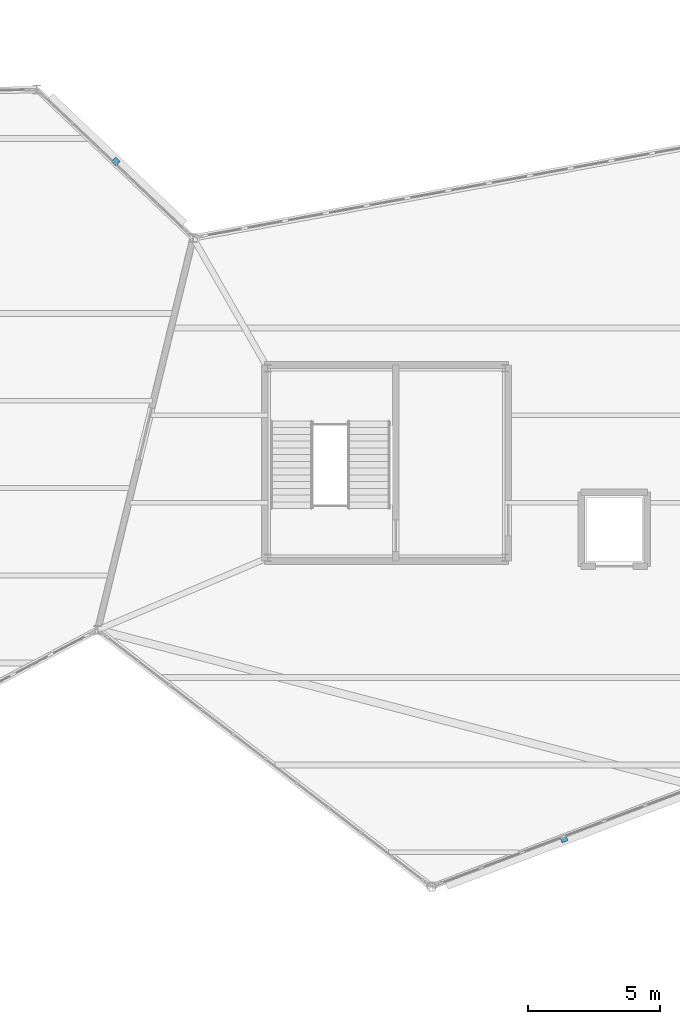
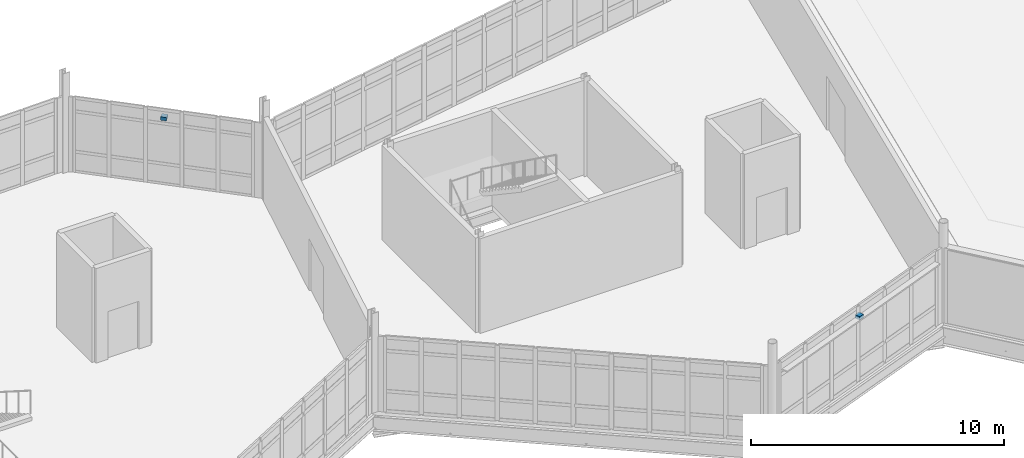
# One storey, part 102 of 114: 2 discrete accessories.
"""IFC4 building model written with IfcOpenShell, lengths in metres."""

from ifc_helpers import new_model, si_unit, direction, frame, origin, origin_2d, place, context, subcontext, project, spatial, rectangle, extrude, material, type_object, element, save


model = new_model("IFC4")

# Units and contexts
model_context = context("Model", 3, precision=1e-05, world=origin(), true_north=direction((0.0, 1.0)))
body_context = subcontext(model_context, "Body", "Model", "MODEL_VIEW")
ifc_project = project(units=[si_unit("LENGTHUNIT", "METRE"), si_unit("AREAUNIT", "SQUARE_METRE"), si_unit("VOLUMEUNIT", "CUBIC_METRE"), si_unit("PLANEANGLEUNIT", "RADIAN"), si_unit("MASSUNIT", "GRAM", prefix="KILO")], contexts=[model_context])

# Site, building, storey
site_placement = place(None, origin())
site = spatial("IfcSite", under=ifc_project, at=site_placement, CompositionType="ELEMENT")
building_placement = place(site_placement, origin())
building = spatial("IfcBuilding", under=site, at=building_placement, Name="Tameran Prism Museum", CompositionType="ELEMENT")
storey_placement = place(building_placement, frame((0.0, 0.0, 10.199951171875)))
storey = spatial("IfcBuildingStorey", under=building, at=storey_placement, Name="L02", CompositionType="ELEMENT", Elevation=10.199951171875)

# Discrete accessories
ifc_material = material(Name="Galvanized Steel Grade 350 (350 MPa)", Category="steel")
discrete_accessory_type = type_object("IfcDiscreteAccessoryType", Name="DA-BRK-STL", PredefinedType="BRACKET", material=ifc_material)
for number, where, z_axis, x_axis, name in (
    (1, (98.782958984375, 45.8779296875, 3.09033203125), (0.0, 0.0, 1.0), (0.725374371012, -0.688354575694, 0.0), "Facade Sunshade Bracket BK-046"),
    (2, (115.699951171875, 20.31396484375, 3.09033203125), (0.0, 0.0, 1.0), (-0.934763684301, -0.355270114859, 0.0), "Facade Sunshade Bracket BK-049"),
):
    element("IfcDiscreteAccessory", number, at=place(storey_placement, frame(where, z_axis=z_axis, x_axis=x_axis)), inside=storey, type_object=discrete_accessory_type, Name=name, PredefinedType="BRACKET", context=body_context, shape_type="SweptSolid", body=[
        extrude(rectangle(XDim=0.239990234375, YDim=0.239990234375, at=origin_2d()), origin(), (0.0, 0.0, 1.0), 0.159912109375),
    ])

save(model, "model.ifc")
